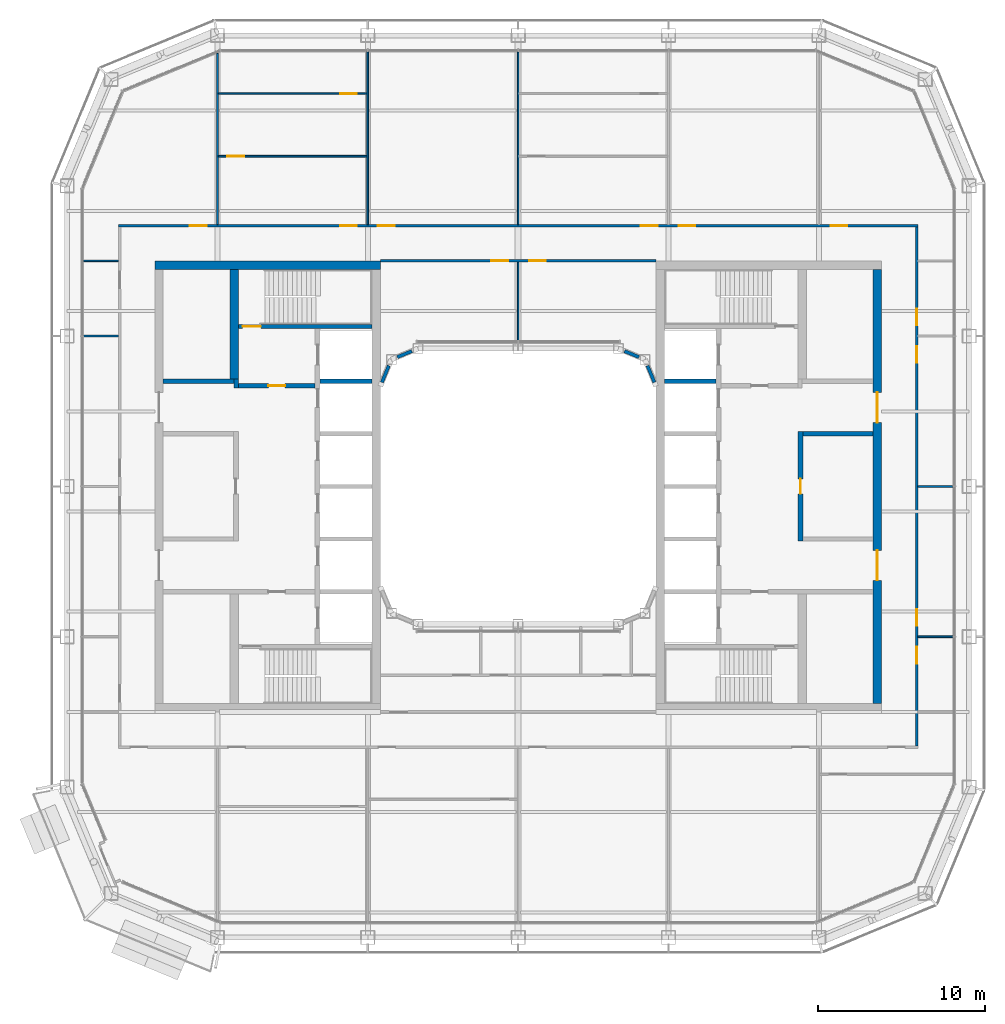
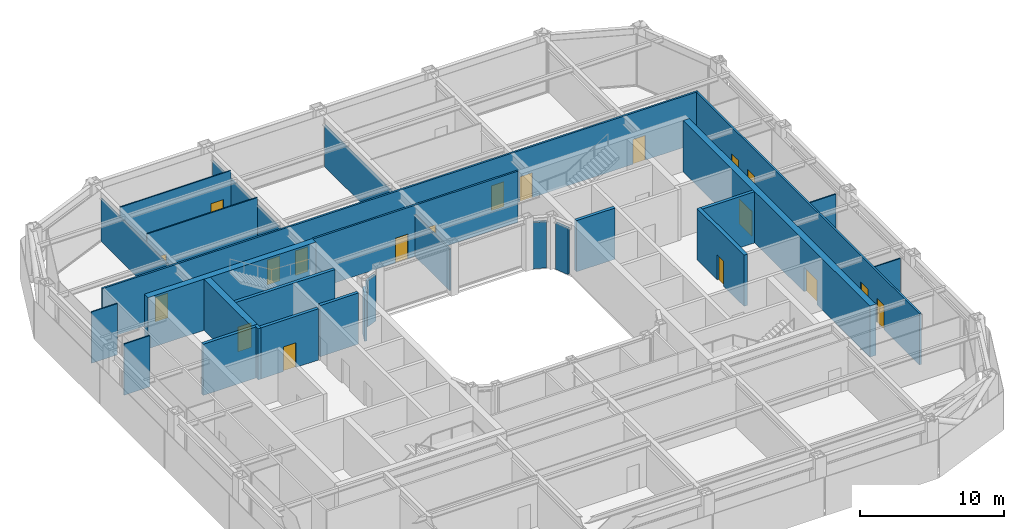
# One storey, part 15 of 23: 28 walls, 19 doors, 19 openings.
"""IFC4 building model written with IfcOpenShell, lengths in metres."""

from ifc_helpers import new_model, si_unit, direction, frame, frame_2d, origin, place, context, subcontext, project, spatial, rectangle, extrude, material, layer, layer_set, type_object, element, fill, save


model = new_model("IFC4")

# Units and contexts
model_context = context("Model", 3, precision=1e-05, world=origin(), true_north=direction((0.0, 1.0)))
body_context = subcontext(model_context, "Body", "Model", "MODEL_VIEW")
ifc_project = project(units=[si_unit("LENGTHUNIT", "METRE"), si_unit("AREAUNIT", "SQUARE_METRE"), si_unit("VOLUMEUNIT", "CUBIC_METRE"), si_unit("PLANEANGLEUNIT", "RADIAN"), si_unit("MASSUNIT", "GRAM", prefix="KILO")], contexts=[model_context])

# Site, building, storey
site_placement = place(None, origin())
site = spatial("IfcSite", under=ifc_project, at=site_placement, CompositionType="ELEMENT")
building_placement = place(site_placement, origin())
building = spatial("IfcBuilding", under=site, at=building_placement, Name="Siwar Civic Tower", CompositionType="ELEMENT")
storey_placement = place(building_placement, frame((0.0, 0.0, 233.199951171875)))
storey = spatial("IfcBuildingStorey", under=building, at=storey_placement, Name="L50", CompositionType="ELEMENT", Elevation=233.199951171875)

# Wall, opening, door
ifc_material_1 = material(Name="Concrete C60/75", Category="concrete")
ifc_layer_1 = layer(ifc_material_1, 0.25)
ifc_layer_set_1 = layer_set([ifc_layer_1], Name="Concrete C60/75")
wall_type_1 = type_object("IfcWallType", Name="CORE-WALL-RC250", PredefinedType="SHEAR", material=ifc_layer_set_1)
wall_1_placement = place(storey_placement, frame((-12.14990234375, 6.02490234375, 0.0), z_axis=(0.0, 0.0, 1.0), x_axis=(-1.0, 0.0, 0.0)))
wall_1 = element("IfcWall", 1, at=wall_1_placement, inside=storey, type_object=wall_type_1, Name="Core wall W", PredefinedType="SHEAR", context=body_context, shape_type="SweptSolid", body=[
    extrude(rectangle(XDim=4.60009765625, YDim=0.25, at=frame_2d((2.300048828125, 0.0))), origin(), (0.0, 0.0, 1.0), 4.35009765625),
])
opening_1_placement = place(wall_1_placement, frame((1.800048828125, 0.0, 0.0)))
opening_1 = element("IfcOpeningElement", 2, at=opening_1_placement, cuts=wall_1, Name="Opening L50-CW01", PredefinedType="OPENING", context=body_context, shape_type="SweptSolid", body=[
    extrude(rectangle(XDim=1.0, YDim=2.10009765625, at=frame_2d((0.5, 1.050048828125))), frame((0.0, 0.135009765625, 0.0), z_axis=(0.0, -1.0, 0.0), x_axis=(1.0, 0.0, 0.0)), (0.0, 0.0, 1.0), 0.27001953125),
])
ifc_material_2 = material(Name="Steel door leaf", Category="steel")
door_type_1 = type_object("IfcDoorType", Name="CORE-DOOR-FD30S", OperationType="SINGLE_SWING_LEFT", PredefinedType="DOOR", material=ifc_material_2)
door_1_placement = place(opening_1_placement, origin())
door_1 = element("IfcDoor", 3, at=door_1_placement, inside=storey, type_object=door_type_1, Name="Firefighting lobby door L50-CW01", OperationType="SINGLE_SWING_LEFT", OverallHeight=2.10009765625, OverallWidth=1.0, PredefinedType="DOOR", context=body_context, shape_type="SweptSolid", body=[
    extrude(rectangle(XDim=1.0, YDim=2.10009765625, at=frame_2d((0.5, 1.050048828125))), frame((0.0, 0.02490234375, 0.0), z_axis=(0.0, -1.0, 0.0), x_axis=(1.0, 0.0, 0.0)), (0.0, 0.0, 1.0), 0.050048828125),
])
fill(opening_1, door_1)

# Walls
wall_2_placement = place(storey_placement, frame((-16.875, 5.89990234375, 0.0), z_axis=(0.0, 0.0, 1.0), x_axis=(0.0, 1.0, 0.0)))
element("IfcWall", 4, at=wall_2_placement, inside=storey, type_object=wall_type_1, Name="Core wall W", PredefinedType="SHEAR", context=body_context, shape_type="SweptSolid", body=[
    extrude(rectangle(XDim=0.525146484375, YDim=0.25, at=frame_2d((0.2626953125, 0.0))), origin(), (0.0, 0.0, 1.0), 4.35009765625),
])
wall_3_placement = place(storey_placement, frame((-17.0, 6.300048828125, 0.0), z_axis=(0.0, 0.0, 1.0), x_axis=(-1.0, 0.0, 0.0)))
element("IfcWall", 5, at=wall_3_placement, inside=storey, type_object=wall_type_1, Name="Core wall W", PredefinedType="SHEAR", context=body_context, shape_type="SweptSolid", body=[
    extrude(rectangle(XDim=4.25, YDim=0.25, at=frame_2d((2.125, 0.0))), origin(), (0.0, 0.0, 1.0), 4.35009765625),
])
wall_4_placement = place(storey_placement, frame((-8.75, 6.300048828125, 0.0), z_axis=(0.0, 0.0, 1.0), x_axis=(-1.0, 0.0, 0.0)))
element("IfcWall", 6, at=wall_4_placement, inside=storey, type_object=wall_type_1, Name="Core wall W", PredefinedType="SHEAR", context=body_context, shape_type="SweptSolid", body=[
    extrude(rectangle(XDim=3.10009765625, YDim=0.25, at=frame_2d((1.550048828125, 0.0))), origin(), (0.0, 0.0, 1.0), 4.35009765625),
])

# Wall, opening, door
wall_5_placement = place(storey_placement, frame((-8.75, 9.574951171875, 0.0), z_axis=(0.0, 0.0, 1.0), x_axis=(-1.0, 0.0, 0.0)))
wall_5 = element("IfcWall", 7, at=wall_5_placement, inside=storey, type_object=wall_type_1, Name="Core wall W", PredefinedType="SHEAR", context=body_context, shape_type="SweptSolid", body=[
    extrude(rectangle(XDim=8.0, YDim=0.25, at=frame_2d((4.0, 0.0))), origin(), (0.0, 0.0, 1.0), 4.35009765625),
])
opening_2_placement = place(wall_5_placement, frame((6.64990234375, 0.0, 0.0)))
opening_2 = element("IfcOpeningElement", 8, at=opening_2_placement, cuts=wall_5, Name="Opening L50-CW03", PredefinedType="OPENING", context=body_context, shape_type="SweptSolid", body=[
    extrude(rectangle(XDim=1.10009765625, YDim=2.10009765625, at=frame_2d((0.550048828125, 1.050048828125))), frame((0.0, 0.135009765625, 0.0), z_axis=(0.0, -1.0, 0.0), x_axis=(1.0, 0.0, 0.0)), (0.0, 0.0, 1.0), 0.27001953125),
])
ifc_material_3 = material(Name="Steel door leaf", Category="steel")
door_type_2 = type_object("IfcDoorType", Name="CORE-DOOR-FD60S", OperationType="SINGLE_SWING_LEFT", PredefinedType="DOOR", material=ifc_material_3)
door_2_placement = place(opening_2_placement, origin())
door_2 = element("IfcDoor", 9, at=door_2_placement, inside=storey, type_object=door_type_2, Name="Stair door L50-CW03", OperationType="SINGLE_SWING_RIGHT", OverallHeight=2.10009765625, OverallWidth=1.10009765625, PredefinedType="DOOR", context=body_context, shape_type="SweptSolid", body=[
    extrude(rectangle(XDim=1.10009765625, YDim=2.10009765625, at=frame_2d((0.550048828125, 1.050048828125))), frame((0.0, 0.02490234375, 0.0), z_axis=(0.0, -1.0, 0.0), x_axis=(1.0, 0.0, 0.0)), (0.0, 0.0, 1.0), 0.050048828125),
])
fill(opening_2, door_2)

# Walls
wall_6_placement = place(storey_placement, frame((17.050048828125, 3.14990234375, 0.0), z_axis=(0.0, 0.0, 1.0), x_axis=(1.0, 0.0, 0.0)))
element("IfcWall", 10, at=wall_6_placement, inside=storey, type_object=wall_type_1, Name="Core wall E", PredefinedType="SHEAR", context=body_context, shape_type="SweptSolid", body=[
    extrude(rectangle(XDim=4.199951171875, YDim=0.25, at=frame_2d((2.10009765625, 0.0))), origin(), (0.0, 0.0, 1.0), 4.35009765625),
])
wall_7_placement = place(storey_placement, frame((8.75, 6.300048828125, 0.0), z_axis=(0.0, 0.0, 1.0), x_axis=(1.0, 0.0, 0.0)))
element("IfcWall", 11, at=wall_7_placement, inside=storey, type_object=wall_type_1, Name="Core wall E", PredefinedType="SHEAR", context=body_context, shape_type="SweptSolid", body=[
    extrude(rectangle(XDim=3.10009765625, YDim=0.25, at=frame_2d((1.550048828125, 0.0))), origin(), (0.0, 0.0, 1.0), 4.35009765625),
])

# Wall, opening, door
ifc_material_4 = material(Name="Concrete C60/75", Category="concrete")
ifc_layer_2 = layer(ifc_material_4, 0.300048828125)
ifc_layer_set_2 = layer_set([ifc_layer_2], Name="Concrete C60/75")
wall_type_2 = type_object("IfcWallType", Name="CORE-WALL-RC300", PredefinedType="SHEAR", material=ifc_layer_set_2)
wall_8_placement = place(storey_placement, frame((16.89990234375, -3.27490234375, 0.0), z_axis=(0.0, 0.0, 1.0), x_axis=(0.0, 1.0, 0.0)))
wall_8 = element("IfcWall", 12, at=wall_8_placement, inside=storey, type_object=wall_type_2, Name="Core wall E", PredefinedType="SHEAR", context=body_context, shape_type="SweptSolid", body=[
    extrude(rectangle(XDim=6.5498046875, YDim=0.300048828125, at=frame_2d((3.27490234375, 0.0))), origin(), (0.0, 0.0, 1.0), 4.35009765625),
])
opening_3_placement = place(wall_8_placement, frame((2.824951171875, 0.0, 0.0)))
opening_3 = element("IfcOpeningElement", 13, at=opening_3_placement, cuts=wall_8, Name="Opening L50-CE13", PredefinedType="OPENING", context=body_context, shape_type="SweptSolid", body=[
    extrude(rectangle(XDim=0.89990234375, YDim=2.10009765625, at=frame_2d((0.449951171875, 1.050048828125))), frame((0.0, 0.16015625, 0.0), z_axis=(0.0, -1.0, 0.0), x_axis=(1.0, 0.0, 0.0)), (0.0, 0.0, 1.0), 0.320068359375),
])
ifc_material_5 = material(Name="Steel door leaf", Category="steel")
door_type_3 = type_object("IfcDoorType", Name="CORE-DOOR-ROOM", OperationType="SINGLE_SWING_LEFT", PredefinedType="DOOR", material=ifc_material_5)
door_3_placement = place(opening_3_placement, origin())
door_3 = element("IfcDoor", 14, at=door_3_placement, inside=storey, type_object=door_type_3, Name="Core room door L50-CE13", OperationType="SINGLE_SWING_LEFT", OverallHeight=2.10009765625, OverallWidth=0.89990234375, PredefinedType="DOOR", context=body_context, shape_type="SweptSolid", body=[
    extrude(rectangle(XDim=0.89990234375, YDim=2.10009765625, at=frame_2d((0.449951171875, 1.050048828125))), frame((0.0, 0.02490234375, 0.0), z_axis=(0.0, -1.0, 0.0), x_axis=(1.0, 0.0, 0.0)), (0.0, 0.0, 1.0), 0.050048828125),
])
fill(opening_3, door_3)

# Walls
ifc_material_6 = material(Name="Concrete C60/75", Category="concrete")
ifc_layer_3 = layer(ifc_material_6, 0.5)
ifc_layer_set_3 = layer_set([ifc_layer_3], Name="Concrete C60/75")
wall_type_3 = type_object("IfcWallType", Name="CORE-WALL-RC500", PredefinedType="SHEAR", material=ifc_layer_set_3)
wall_9_placement = place(storey_placement, frame((-17.0, 6.425048828125, 0.0), z_axis=(0.0, 0.0, 1.0), x_axis=(0.0, 1.0, 0.0)))
element("IfcWall", 15, at=wall_9_placement, inside=storey, type_object=wall_type_3, Name="Core wall W", PredefinedType="SHEAR", context=body_context, shape_type="SweptSolid", body=[
    extrude(rectangle(XDim=6.574951171875, YDim=0.5, at=frame_2d((3.28759765625, 0.0))), origin(), (0.0, 0.0, 1.0), 4.35009765625),
])
wall_10_placement = place(storey_placement, frame((-8.25, 13.25, 0.0), z_axis=(0.0, 0.0, 1.0), x_axis=(-1.0, 0.0, 0.0)))
element("IfcWall", 16, at=wall_10_placement, inside=storey, type_object=wall_type_3, Name="Core wall W", PredefinedType="SHEAR", context=body_context, shape_type="SweptSolid", body=[
    extrude(rectangle(XDim=13.5, YDim=0.5, at=frame_2d((6.75, 0.0))), origin(), (0.0, 0.0, 1.0), 4.35009765625),
])

# Wall, openings, doors
wall_11_placement = place(storey_placement, frame((21.5, -13.0, 0.0), z_axis=(0.0, 0.0, 1.0), x_axis=(0.0, 1.0, 0.0)))
wall_11 = element("IfcWall", 17, at=wall_11_placement, inside=storey, type_object=wall_type_3, Name="Core wall E", PredefinedType="SHEAR", context=body_context, shape_type="SweptSolid", body=[
    extrude(rectangle(XDim=26.0, YDim=0.5, at=frame_2d((13.0, 0.0))), origin(), (0.0, 0.0, 1.0), 4.35009765625),
])
opening_4_placement = place(wall_11_placement, frame((16.824951171875, 0.0, 0.0)))
opening_4 = element("IfcOpeningElement", 18, at=opening_4_placement, cuts=wall_11, Name="Opening L50-CE05", PredefinedType="OPENING", context=body_context, shape_type="SweptSolid", body=[
    extrude(rectangle(XDim=1.800048828125, YDim=2.10009765625, at=frame_2d((0.89990234375, 1.050048828125))), frame((0.0, 0.260009765625, 0.0), z_axis=(0.0, -1.0, 0.0), x_axis=(1.0, 0.0, 0.0)), (0.0, 0.0, 1.0), 0.52001953125),
])
opening_5_placement = place(wall_11_placement, frame((7.375, 0.0, 0.0)))
opening_5 = element("IfcOpeningElement", 19, at=opening_5_placement, cuts=wall_11, Name="Opening L50-CE06", PredefinedType="OPENING", context=body_context, shape_type="SweptSolid", body=[
    extrude(rectangle(XDim=1.800048828125, YDim=2.10009765625, at=frame_2d((0.89990234375, 1.050048828125))), frame((0.0, 0.260009765625, 0.0), z_axis=(0.0, -1.0, 0.0), x_axis=(1.0, 0.0, 0.0)), (0.0, 0.0, 1.0), 0.52001953125),
])
ifc_material_7 = material(Name="Steel door leaf", Category="steel")
door_type_4 = type_object("IfcDoorType", Name="CORE-DOOR-PORT", OperationType="DOUBLE_DOOR_DOUBLE_SWING", PredefinedType="DOOR", material=ifc_material_7)
door_4_placement = place(opening_4_placement, origin())
door_4 = element("IfcDoor", 20, at=door_4_placement, inside=storey, type_object=door_type_4, Name="Core entrance door L50-CE05", OperationType="DOUBLE_DOOR_DOUBLE_SWING", OverallHeight=2.10009765625, OverallWidth=1.800048828125, PredefinedType="DOOR", context=body_context, shape_type="SweptSolid", body=[
    extrude(rectangle(XDim=1.800048828125, YDim=2.10009765625, at=frame_2d((0.89990234375, 1.050048828125))), frame((0.0, 0.02490234375, 0.0), z_axis=(0.0, -1.0, 0.0), x_axis=(1.0, 0.0, 0.0)), (0.0, 0.0, 1.0), 0.050048828125),
])
fill(opening_4, door_4)
door_5_placement = place(opening_5_placement, origin())
door_5 = element("IfcDoor", 21, at=door_5_placement, inside=storey, type_object=door_type_4, Name="Core entrance door L50-CE06", OperationType="DOUBLE_DOOR_DOUBLE_SWING", OverallHeight=2.10009765625, OverallWidth=1.800048828125, PredefinedType="DOOR", context=body_context, shape_type="SweptSolid", body=[
    extrude(rectangle(XDim=1.800048828125, YDim=2.10009765625, at=frame_2d((0.89990234375, 1.050048828125))), frame((0.0, 0.02490234375, 0.0), z_axis=(0.0, -1.0, 0.0), x_axis=(1.0, 0.0, 0.0)), (0.0, 0.0, 1.0), 0.050048828125),
])
fill(opening_5, door_5)

ifc_material_8 = material(Name="Gypsum board on steel studs", Category="steel")
ifc_layer_4 = layer(ifc_material_8, 0.14990234375)
ifc_layer_set_4 = layer_set([ifc_layer_4], Name="Gypsum board on steel studs")
wall_type_4 = type_object("IfcWallType", Name="CORRIDOR PARTITION 150 EI 30", PredefinedType="PARTITIONING", material=ifc_layer_set_4)
wall_12_placement = place(storey_placement, frame((-8.25, 13.5, 0.0), z_axis=(0.0, 0.0, 1.0), x_axis=(1.0, 0.0, 0.0)))
wall_12 = element("IfcWall", 22, at=wall_12_placement, inside=storey, type_object=wall_type_4, Name="L50/wall/P18", PredefinedType="PARTITIONING", context=body_context, shape_type="SweptSolid", body=[
    extrude(rectangle(XDim=16.5, YDim=0.14990234375, at=frame_2d((8.25, 0.0))), origin(), (0.0, 0.0, 1.0), 4.35009765625),
])
opening_6_placement = place(wall_12_placement, frame((6.64990234375, 0.0, 0.0)))
opening_6 = element("IfcOpeningElement", 23, at=opening_6_placement, cuts=wall_12, Name="Opening D1", PredefinedType="OPENING", context=body_context, shape_type="SweptSolid", body=[
    extrude(rectangle(XDim=1.0, YDim=2.10009765625, at=frame_2d((0.5, 1.050048828125))), frame((0.0, 0.0849609375, 0.0), z_axis=(0.0, -1.0, 0.0), x_axis=(1.0, 0.0, 0.0)), (0.0, 0.0, 1.0), 0.169921875),
])
opening_7_placement = place(wall_12_placement, frame((8.89990234375, 0.0, 0.0)))
opening_7 = element("IfcOpeningElement", 24, at=opening_7_placement, cuts=wall_12, Name="Opening D1", PredefinedType="OPENING", context=body_context, shape_type="SweptSolid", body=[
    extrude(rectangle(XDim=1.0, YDim=2.10009765625, at=frame_2d((0.5, 1.050048828125))), frame((0.0, 0.0849609375, 0.0), z_axis=(0.0, -1.0, 0.0), x_axis=(1.0, 0.0, 0.0)), (0.0, 0.0, 1.0), 0.169921875),
])
ifc_material_9 = material(Name="Timber, painted", Category="wood")
door_type_5 = type_object("IfcDoorType", Name="DOOR 1000 X 2100 FD30", OperationType="SINGLE_SWING_LEFT", PredefinedType="DOOR", material=ifc_material_9)
door_6_placement = place(opening_6_placement, origin())
door_6 = element("IfcDoor", 25, at=door_6_placement, inside=storey, type_object=door_type_5, Name="L50-D28", OperationType="SINGLE_SWING_RIGHT", OverallHeight=2.10009765625, OverallWidth=1.0, PredefinedType="DOOR", context=body_context, shape_type="SweptSolid", body=[
    extrude(rectangle(XDim=1.0, YDim=2.10009765625, at=frame_2d((0.5, 1.050048828125))), frame((0.0, 0.02490234375, 0.0), z_axis=(0.0, -1.0, 0.0), x_axis=(1.0, 0.0, 0.0)), (0.0, 0.0, 1.0), 0.050048828125),
])
fill(opening_6, door_6)
door_7_placement = place(opening_7_placement, origin())
door_7 = element("IfcDoor", 26, at=door_7_placement, inside=storey, type_object=door_type_5, Name="L50-D29", OperationType="SINGLE_SWING_LEFT", OverallHeight=2.10009765625, OverallWidth=1.0, PredefinedType="DOOR", context=body_context, shape_type="SweptSolid", body=[
    extrude(rectangle(XDim=1.0, YDim=2.10009765625, at=frame_2d((0.5, 1.050048828125))), frame((0.0, 0.02490234375, 0.0), z_axis=(0.0, -1.0, 0.0), x_axis=(1.0, 0.0, 0.0)), (0.0, 0.0, 1.0), 0.050048828125),
])
fill(opening_7, door_7)

wall_13_placement = place(storey_placement, frame((-23.925048828125, 15.60009765625, 0.0), z_axis=(0.0, 0.0, 1.0), x_axis=(1.0, 0.0, 0.0)))
wall_13 = element("IfcWall", 27, at=wall_13_placement, inside=storey, type_object=wall_type_4, Name="L50/wall/P19", PredefinedType="PARTITIONING", context=body_context, shape_type="SweptSolid", body=[
    extrude(rectangle(XDim=47.85009765625, YDim=0.14990234375, at=frame_2d((23.925048828125, 0.0))), origin(), (0.0, 0.0, 1.0), 4.35009765625),
])
opening_8_placement = place(wall_13_placement, frame((13.27490234375, 0.0, 0.0)))
opening_8 = element("IfcOpeningElement", 28, at=opening_8_placement, cuts=wall_13, Name="Opening D1", PredefinedType="OPENING", context=body_context, shape_type="SweptSolid", body=[
    extrude(rectangle(XDim=1.0, YDim=2.10009765625, at=frame_2d((0.5, 1.050048828125))), frame((0.0, 0.0849609375, 0.0), z_axis=(0.0, -1.0, 0.0), x_axis=(1.0, 0.0, 0.0)), (0.0, 0.0, 1.0), 0.169921875),
])
opening_9_placement = place(wall_13_placement, frame((15.52490234375, 0.0, 0.0)))
opening_9 = element("IfcOpeningElement", 29, at=opening_9_placement, cuts=wall_13, Name="Opening D1", PredefinedType="OPENING", context=body_context, shape_type="SweptSolid", body=[
    extrude(rectangle(XDim=1.0, YDim=2.10009765625, at=frame_2d((0.5, 1.050048828125))), frame((0.0, 0.0849609375, 0.0), z_axis=(0.0, -1.0, 0.0), x_axis=(1.0, 0.0, 0.0)), (0.0, 0.0, 1.0), 0.169921875),
])
opening_10_placement = place(wall_13_placement, frame((31.27490234375, 0.0, 0.0)))
opening_10 = element("IfcOpeningElement", 30, at=opening_10_placement, cuts=wall_13, Name="Opening D1", PredefinedType="OPENING", context=body_context, shape_type="SweptSolid", body=[
    extrude(rectangle(XDim=1.0, YDim=2.10009765625, at=frame_2d((0.5, 1.050048828125))), frame((0.0, 0.0849609375, 0.0), z_axis=(0.0, -1.0, 0.0), x_axis=(1.0, 0.0, 0.0)), (0.0, 0.0, 1.0), 0.169921875),
])
opening_11_placement = place(wall_13_placement, frame((33.52490234375, 0.0, 0.0)))
opening_11 = element("IfcOpeningElement", 31, at=opening_11_placement, cuts=wall_13, Name="Opening D1", PredefinedType="OPENING", context=body_context, shape_type="SweptSolid", body=[
    extrude(rectangle(XDim=1.0, YDim=2.10009765625, at=frame_2d((0.5, 1.050048828125))), frame((0.0, 0.0849609375, 0.0), z_axis=(0.0, -1.0, 0.0), x_axis=(1.0, 0.0, 0.0)), (0.0, 0.0, 1.0), 0.169921875),
])
opening_12_placement = place(wall_13_placement, frame((4.27490234375, 0.0, 0.0)))
opening_12 = element("IfcOpeningElement", 32, at=opening_12_placement, cuts=wall_13, Name="Opening D1", PredefinedType="OPENING", context=body_context, shape_type="SweptSolid", body=[
    extrude(rectangle(XDim=1.0, YDim=2.10009765625, at=frame_2d((0.5, 1.050048828125))), frame((0.0, 0.0849609375, 0.0), z_axis=(0.0, -1.0, 0.0), x_axis=(1.0, 0.0, 0.0)), (0.0, 0.0, 1.0), 0.169921875),
])
opening_13_placement = place(wall_13_placement, frame((42.625, 0.0, 0.0)))
opening_13 = element("IfcOpeningElement", 33, at=opening_13_placement, cuts=wall_13, Name="Opening D1", PredefinedType="OPENING", context=body_context, shape_type="SweptSolid", body=[
    extrude(rectangle(XDim=1.0, YDim=2.10009765625, at=frame_2d((0.5, 1.050048828125))), frame((0.0, 0.0849609375, 0.0), z_axis=(0.0, -1.0, 0.0), x_axis=(1.0, 0.0, 0.0)), (0.0, 0.0, 1.0), 0.169921875),
])
door_8_placement = place(opening_8_placement, origin())
door_8 = element("IfcDoor", 34, at=door_8_placement, inside=storey, type_object=door_type_5, Name="L50-D01", OperationType="SINGLE_SWING_LEFT", OverallHeight=2.10009765625, OverallWidth=1.0, PredefinedType="DOOR", context=body_context, shape_type="SweptSolid", body=[
    extrude(rectangle(XDim=1.0, YDim=2.10009765625, at=frame_2d((0.5, 1.050048828125))), frame((0.0, 0.02490234375, 0.0), z_axis=(0.0, -1.0, 0.0), x_axis=(1.0, 0.0, 0.0)), (0.0, 0.0, 1.0), 0.050048828125),
])
fill(opening_8, door_8)
door_9_placement = place(opening_9_placement, origin())
door_9 = element("IfcDoor", 35, at=door_9_placement, inside=storey, type_object=door_type_5, Name="L50-D04", OperationType="SINGLE_SWING_RIGHT", OverallHeight=2.10009765625, OverallWidth=1.0, PredefinedType="DOOR", context=body_context, shape_type="SweptSolid", body=[
    extrude(rectangle(XDim=1.0, YDim=2.10009765625, at=frame_2d((0.5, 1.050048828125))), frame((0.0, 0.02490234375, 0.0), z_axis=(0.0, -1.0, 0.0), x_axis=(1.0, 0.0, 0.0)), (0.0, 0.0, 1.0), 0.050048828125),
])
fill(opening_9, door_9)
door_10_placement = place(opening_10_placement, origin())
door_10 = element("IfcDoor", 36, at=door_10_placement, inside=storey, type_object=door_type_5, Name="L50-D05", OperationType="SINGLE_SWING_LEFT", OverallHeight=2.10009765625, OverallWidth=1.0, PredefinedType="DOOR", context=body_context, shape_type="SweptSolid", body=[
    extrude(rectangle(XDim=1.0, YDim=2.10009765625, at=frame_2d((0.5, 1.050048828125))), frame((0.0, 0.02490234375, 0.0), z_axis=(0.0, -1.0, 0.0), x_axis=(1.0, 0.0, 0.0)), (0.0, 0.0, 1.0), 0.050048828125),
])
fill(opening_10, door_10)
door_11_placement = place(opening_11_placement, origin())
door_11 = element("IfcDoor", 37, at=door_11_placement, inside=storey, type_object=door_type_5, Name="L50-D08", OperationType="SINGLE_SWING_RIGHT", OverallHeight=2.10009765625, OverallWidth=1.0, PredefinedType="DOOR", context=body_context, shape_type="SweptSolid", body=[
    extrude(rectangle(XDim=1.0, YDim=2.10009765625, at=frame_2d((0.5, 1.050048828125))), frame((0.0, 0.02490234375, 0.0), z_axis=(0.0, -1.0, 0.0), x_axis=(1.0, 0.0, 0.0)), (0.0, 0.0, 1.0), 0.050048828125),
])
fill(opening_11, door_11)
door_12_placement = place(opening_12_placement, origin())
door_12 = element("IfcDoor", 38, at=door_12_placement, inside=storey, type_object=door_type_5, Name="L50-D15", OperationType="SINGLE_SWING_LEFT", OverallHeight=2.10009765625, OverallWidth=1.0, PredefinedType="DOOR", context=body_context, shape_type="SweptSolid", body=[
    extrude(rectangle(XDim=1.0, YDim=2.10009765625, at=frame_2d((0.5, 1.050048828125))), frame((0.0, 0.02490234375, 0.0), z_axis=(0.0, -1.0, 0.0), x_axis=(1.0, 0.0, 0.0)), (0.0, 0.0, 1.0), 0.050048828125),
])
fill(opening_12, door_12)
door_13_placement = place(opening_13_placement, origin())
door_13 = element("IfcDoor", 39, at=door_13_placement, inside=storey, type_object=door_type_5, Name="L50-D16", OperationType="SINGLE_SWING_RIGHT", OverallHeight=2.10009765625, OverallWidth=1.0, PredefinedType="DOOR", context=body_context, shape_type="SweptSolid", body=[
    extrude(rectangle(XDim=1.0, YDim=2.10009765625, at=frame_2d((0.5, 1.050048828125))), frame((0.0, 0.02490234375, 0.0), z_axis=(0.0, -1.0, 0.0), x_axis=(1.0, 0.0, 0.0)), (0.0, 0.0, 1.0), 0.050048828125),
])
fill(opening_13, door_13)

wall_14_placement = place(storey_placement, frame((23.85009765625, -15.52490234375, 0.0), z_axis=(0.0, 0.0, 1.0), x_axis=(0.0, 1.0, 0.0)))
wall_14 = element("IfcWall", 40, at=wall_14_placement, inside=storey, type_object=wall_type_4, Name="L50/wall/P39", PredefinedType="PARTITIONING", context=body_context, shape_type="SweptSolid", body=[
    extrude(rectangle(XDim=31.0498046875, YDim=0.14990234375, at=frame_2d((15.52490234375, 0.0))), origin(), (0.0, 0.0, 1.0), 4.35009765625),
])
opening_14_placement = place(wall_14_placement, frame((4.925048828125, 0.0, 0.0)))
opening_14 = element("IfcOpeningElement", 41, at=opening_14_placement, cuts=wall_14, Name="Opening D1", PredefinedType="OPENING", context=body_context, shape_type="SweptSolid", body=[
    extrude(rectangle(XDim=1.0, YDim=2.10009765625, at=frame_2d((0.5, 1.050048828125))), frame((0.0, 0.0849609375, 0.0), z_axis=(0.0, -1.0, 0.0), x_axis=(1.0, 0.0, 0.0)), (0.0, 0.0, 1.0), 0.169921875),
])
opening_15_placement = place(wall_14_placement, frame((7.175048828125, 0.0, 0.0)))
opening_15 = element("IfcOpeningElement", 42, at=opening_15_placement, cuts=wall_14, Name="Opening D1", PredefinedType="OPENING", context=body_context, shape_type="SweptSolid", body=[
    extrude(rectangle(XDim=1.0, YDim=2.10009765625, at=frame_2d((0.5, 1.050048828125))), frame((0.0, 0.0849609375, 0.0), z_axis=(0.0, -1.0, 0.0), x_axis=(1.0, 0.0, 0.0)), (0.0, 0.0, 1.0), 0.169921875),
])
opening_16_placement = place(wall_14_placement, frame((22.925048828125, 0.0, 0.0)))
opening_16 = element("IfcOpeningElement", 43, at=opening_16_placement, cuts=wall_14, Name="Opening D1", PredefinedType="OPENING", context=body_context, shape_type="SweptSolid", body=[
    extrude(rectangle(XDim=1.0, YDim=2.10009765625, at=frame_2d((0.5, 1.050048828125))), frame((0.0, 0.0849609375, 0.0), z_axis=(0.0, -1.0, 0.0), x_axis=(1.0, 0.0, 0.0)), (0.0, 0.0, 1.0), 0.169921875),
])
opening_17_placement = place(wall_14_placement, frame((25.175048828125, 0.0, 0.0)))
opening_17 = element("IfcOpeningElement", 44, at=opening_17_placement, cuts=wall_14, Name="Opening D1", PredefinedType="OPENING", context=body_context, shape_type="SweptSolid", body=[
    extrude(rectangle(XDim=1.0, YDim=2.10009765625, at=frame_2d((0.5, 1.050048828125))), frame((0.0, 0.0849609375, 0.0), z_axis=(0.0, -1.0, 0.0), x_axis=(1.0, 0.0, 0.0)), (0.0, 0.0, 1.0), 0.169921875),
])
door_14_placement = place(opening_14_placement, origin())
door_14 = element("IfcDoor", 45, at=door_14_placement, inside=storey, type_object=door_type_5, Name="L50-D24", OperationType="SINGLE_SWING_RIGHT", OverallHeight=2.10009765625, OverallWidth=1.0, PredefinedType="DOOR", context=body_context, shape_type="SweptSolid", body=[
    extrude(rectangle(XDim=1.0, YDim=2.10009765625, at=frame_2d((0.5, 1.050048828125))), frame((0.0, 0.02490234375, 0.0), z_axis=(0.0, -1.0, 0.0), x_axis=(1.0, 0.0, 0.0)), (0.0, 0.0, 1.0), 0.050048828125),
])
fill(opening_14, door_14)
door_15_placement = place(opening_15_placement, origin())
door_15 = element("IfcDoor", 46, at=door_15_placement, inside=storey, type_object=door_type_5, Name="L50-D25", OperationType="SINGLE_SWING_LEFT", OverallHeight=2.10009765625, OverallWidth=1.0, PredefinedType="DOOR", context=body_context, shape_type="SweptSolid", body=[
    extrude(rectangle(XDim=1.0, YDim=2.10009765625, at=frame_2d((0.5, 1.050048828125))), frame((0.0, 0.02490234375, 0.0), z_axis=(0.0, -1.0, 0.0), x_axis=(1.0, 0.0, 0.0)), (0.0, 0.0, 1.0), 0.050048828125),
])
fill(opening_15, door_15)
door_16_placement = place(opening_16_placement, origin())
door_16 = element("IfcDoor", 47, at=door_16_placement, inside=storey, type_object=door_type_5, Name="L50-D26", OperationType="SINGLE_SWING_RIGHT", OverallHeight=2.10009765625, OverallWidth=1.0, PredefinedType="DOOR", context=body_context, shape_type="SweptSolid", body=[
    extrude(rectangle(XDim=1.0, YDim=2.10009765625, at=frame_2d((0.5, 1.050048828125))), frame((0.0, 0.02490234375, 0.0), z_axis=(0.0, -1.0, 0.0), x_axis=(1.0, 0.0, 0.0)), (0.0, 0.0, 1.0), 0.050048828125),
])
fill(opening_16, door_16)
door_17_placement = place(opening_17_placement, origin())
door_17 = element("IfcDoor", 48, at=door_17_placement, inside=storey, type_object=door_type_5, Name="L50-D27", OperationType="SINGLE_SWING_LEFT", OverallHeight=2.10009765625, OverallWidth=1.0, PredefinedType="DOOR", context=body_context, shape_type="SweptSolid", body=[
    extrude(rectangle(XDim=1.0, YDim=2.10009765625, at=frame_2d((0.5, 1.050048828125))), frame((0.0, 0.02490234375, 0.0), z_axis=(0.0, -1.0, 0.0), x_axis=(1.0, 0.0, 0.0)), (0.0, 0.0, 1.0), 0.050048828125),
])
fill(opening_17, door_17)

# Walls
ifc_material_10 = material(Name="Aluminium clad insulated panel", Category="aluminium")
ifc_layer_5 = layer(ifc_material_10, 0.199951171875)
ifc_layer_set_5 = layer_set([ifc_layer_5], Name="Aluminium clad insulated panel")
wall_type_5 = type_object("IfcWallType", Name="ENV-WALL-WELL", PredefinedType="STANDARD", material=ifc_layer_set_5)
wall_15_placement = place(storey_placement, frame((8.154296875, 6.23095703125, 0.0), z_axis=(0.0, 0.0, 1.0), x_axis=(-0.382704496366, 0.923870807235, 0.0)))
element("IfcWall", 49, at=wall_15_placement, inside=storey, type_object=wall_type_5, Name="Light well corner wall NE1", PredefinedType="STANDARD", context=body_context, shape_type="SweptSolid", body=[
    extrude(rectangle(XDim=1.080078125, YDim=0.199951171875, at=frame_2d((0.5400390625, 0.0))), origin(), (0.0, 0.0, 1.0), 3.91796875),
])
for number, where, z_axis, x_axis, name in (
    (50, (7.228759765625, 7.740966796875, 0.0), (0.0, 0.0, 1.0), (-0.923829670615, 0.382803787458, 0.0), "Light well corner wall NE2"),
    (51, (-6.362060546875, 8.10009765625, 0.0), (0.0, 0.0, 1.0), (-0.923829670615, -0.382803787458, 0.0), "Light well corner wall NW1"),
):
    element("IfcWall", number, at=place(storey_placement, frame(where, z_axis=z_axis, x_axis=x_axis)), inside=storey, type_object=wall_type_5, Name=name, PredefinedType="STANDARD", context=body_context, shape_type="SweptSolid", body=[
        extrude(rectangle(XDim=0.938232421875, YDim=0.199951171875, at=frame_2d((0.46923828125, 0.0))), origin(), (0.0, 0.0, 1.0), 3.91796875),
    ])
wall_16_placement = place(storey_placement, frame((-7.740966796875, 7.228759765625, 0.0), z_axis=(0.0, 0.0, 1.0), x_axis=(-0.382704496366, -0.923870807235, 0.0)))
element("IfcWall", 52, at=wall_16_placement, inside=storey, type_object=wall_type_5, Name="Light well corner wall NW2", PredefinedType="STANDARD", context=body_context, shape_type="SweptSolid", body=[
    extrude(rectangle(XDim=1.080078125, YDim=0.199951171875, at=frame_2d((0.5400390625, 0.0))), origin(), (0.0, 0.0, 1.0), 3.91796875),
])
ifc_material_11 = material(Name="Gypsum board on steel studs", Category="steel")
ifc_layer_6 = layer(ifc_material_11, 0.10009765625)
ifc_layer_set_6 = layer_set([ifc_layer_6], Name="Gypsum board on steel studs")
wall_type_6 = type_object("IfcWallType", Name="PARTITION 100 GYPSUM", PredefinedType="PARTITIONING", material=ifc_layer_set_6)
for number, where, z_axis, x_axis, name in (
    (53, (23.925048828125, -9.0, 0.0), (0.0, 0.0, 1.0), (1.0, 0.0, 0.0), "L50/wall/P11"),
    (54, (23.925048828125, 0.0, 0.0), (0.0, 0.0, 1.0), (1.0, 0.0, 0.0), "L50/wall/P13"),
    (55, (-26.010009765625, 9.0, 0.0), (0.0, 0.0, 1.0), (1.0, 0.0, 0.0), "L50/wall/P14"),
    (56, (-26.010009765625, 13.5, 0.0), (0.0, 0.0, 1.0), (1.0, 0.0, 0.0), "L50/wall/P16"),
):
    element("IfcWall", number, at=place(storey_placement, frame(where, z_axis=z_axis, x_axis=x_axis)), inside=storey, type_object=wall_type_6, Name=name, PredefinedType="PARTITIONING", context=body_context, shape_type="SweptSolid", body=[
        extrude(rectangle(XDim=2.0849609375, YDim=0.10009765625, at=frame_2d((1.04248046875, 0.0))), origin(), (0.0, 0.0, 1.0), 4.35009765625),
    ])

# Wall, opening, door
wall_17_placement = place(storey_placement, frame((-17.949951171875, 19.763916015625, 0.0), z_axis=(0.0, 0.0, 1.0), x_axis=(1.0, 0.0, 0.0)))
wall_17 = element("IfcWall", 57, at=wall_17_placement, inside=storey, type_object=wall_type_6, Name="L50/wall/P20", PredefinedType="PARTITIONING", context=body_context, shape_type="SweptSolid", body=[
    extrude(rectangle(XDim=8.89990234375, YDim=0.10009765625, at=frame_2d((4.449951171875, 0.0))), origin(), (0.0, 0.0, 1.0), 4.35009765625),
])
opening_18_placement = place(wall_17_placement, frame((0.550048828125, 0.0, 0.0)))
opening_18 = element("IfcOpeningElement", 58, at=opening_18_placement, cuts=wall_17, Name="Opening D2", PredefinedType="OPENING", context=body_context, shape_type="SweptSolid", body=[
    extrude(rectangle(XDim=1.0, YDim=2.10009765625, at=frame_2d((0.5, 1.050048828125))), frame((0.0, 0.06005859375, 0.0), z_axis=(0.0, -1.0, 0.0), x_axis=(1.0, 0.0, 0.0)), (0.0, 0.0, 1.0), 0.1201171875),
])
ifc_material_12 = material(Name="Timber, painted", Category="wood")
door_type_6 = type_object("IfcDoorType", Name="DOOR 1000 X 2100", OperationType="SINGLE_SWING_LEFT", PredefinedType="DOOR", material=ifc_material_12)
door_18_placement = place(opening_18_placement, origin())
door_18 = element("IfcDoor", 59, at=door_18_placement, inside=storey, type_object=door_type_6, Name="L50-D02", OperationType="SINGLE_SWING_RIGHT", OverallHeight=2.10009765625, OverallWidth=1.0, PredefinedType="DOOR", context=body_context, shape_type="SweptSolid", body=[
    extrude(rectangle(XDim=1.0, YDim=2.10009765625, at=frame_2d((0.5, 1.050048828125))), frame((0.0, 0.02490234375, 0.0), z_axis=(0.0, -1.0, 0.0), x_axis=(1.0, 0.0, 0.0)), (0.0, 0.0, 1.0), 0.050048828125),
])
fill(opening_18, door_18)

wall_18_placement = place(storey_placement, frame((-17.949951171875, 23.511962890625, 0.0), z_axis=(0.0, 0.0, 1.0), x_axis=(1.0, 0.0, 0.0)))
wall_18 = element("IfcWall", 60, at=wall_18_placement, inside=storey, type_object=wall_type_6, Name="L50/wall/P22", PredefinedType="PARTITIONING", context=body_context, shape_type="SweptSolid", body=[
    extrude(rectangle(XDim=8.89990234375, YDim=0.10009765625, at=frame_2d((4.449951171875, 0.0))), origin(), (0.0, 0.0, 1.0), 4.35009765625),
])
opening_19_placement = place(wall_18_placement, frame((7.300048828125, 0.0, 0.0)))
opening_19 = element("IfcOpeningElement", 61, at=opening_19_placement, cuts=wall_18, Name="Opening D2", PredefinedType="OPENING", context=body_context, shape_type="SweptSolid", body=[
    extrude(rectangle(XDim=1.0, YDim=2.10009765625, at=frame_2d((0.5, 1.050048828125))), frame((0.0, 0.06005859375, 0.0), z_axis=(0.0, -1.0, 0.0), x_axis=(1.0, 0.0, 0.0)), (0.0, 0.0, 1.0), 0.1201171875),
])
door_19_placement = place(opening_19_placement, origin())
door_19 = element("IfcDoor", 62, at=door_19_placement, inside=storey, type_object=door_type_6, Name="L50-D03", OperationType="SINGLE_SWING_LEFT", OverallHeight=2.10009765625, OverallWidth=1.0, PredefinedType="DOOR", context=body_context, shape_type="SweptSolid", body=[
    extrude(rectangle(XDim=1.0, YDim=2.10009765625, at=frame_2d((0.5, 1.050048828125))), frame((0.0, 0.02490234375, 0.0), z_axis=(0.0, -1.0, 0.0), x_axis=(1.0, 0.0, 0.0)), (0.0, 0.0, 1.0), 0.050048828125),
])
fill(opening_19, door_19)

# Walls
wall_19_placement = place(storey_placement, frame((-18.0, 15.675048828125, 0.0), z_axis=(0.0, 0.0, 1.0), x_axis=(0.0, 1.0, 0.0)))
element("IfcWall", 63, at=wall_19_placement, inside=storey, type_object=wall_type_6, Name="L50/wall/P26", PredefinedType="PARTITIONING", context=body_context, shape_type="SweptSolid", body=[
    extrude(rectangle(XDim=10.2529296875, YDim=0.10009765625, at=frame_2d((5.12646484375, 0.0))), origin(), (0.0, 0.0, 1.0), 3.650146484375),
])
wall_20_placement = place(storey_placement, frame((-9.0, 15.675048828125, 0.0), z_axis=(0.0, 0.0, 1.0), x_axis=(0.0, 1.0, 0.0)))
element("IfcWall", 64, at=wall_20_placement, inside=storey, type_object=wall_type_6, Name="L50/wall/P28", PredefinedType="PARTITIONING", context=body_context, shape_type="SweptSolid", body=[
    extrude(rectangle(XDim=10.3349609375, YDim=0.10009765625, at=frame_2d((5.16748046875, 0.0))), origin(), (0.0, 0.0, 1.0), 3.650146484375),
])
wall_21_placement = place(storey_placement, frame((0.0, 8.60009765625, 0.0), z_axis=(0.0, 0.0, 1.0), x_axis=(0.0, 1.0, 0.0)))
element("IfcWall", 65, at=wall_21_placement, inside=storey, type_object=wall_type_6, Name="L50/wall/P31", PredefinedType="PARTITIONING", context=body_context, shape_type="SweptSolid", body=[
    extrude(rectangle(XDim=4.824951171875, YDim=0.10009765625, at=frame_2d((2.41259765625, 0.0))), origin(), (0.0, 0.0, 1.0), 3.550048828125),
])
wall_22_placement = place(storey_placement, frame((0.0, 15.675048828125, 0.0), z_axis=(0.0, 0.0, 1.0), x_axis=(0.0, 1.0, 0.0)))
element("IfcWall", 66, at=wall_22_placement, inside=storey, type_object=wall_type_6, Name="L50/wall/P32", PredefinedType="PARTITIONING", context=body_context, shape_type="SweptSolid", body=[
    extrude(rectangle(XDim=10.3349609375, YDim=0.10009765625, at=frame_2d((5.16748046875, 0.0))), origin(), (0.0, 0.0, 1.0), 3.550048828125),
])

save(model, "model.ifc")
